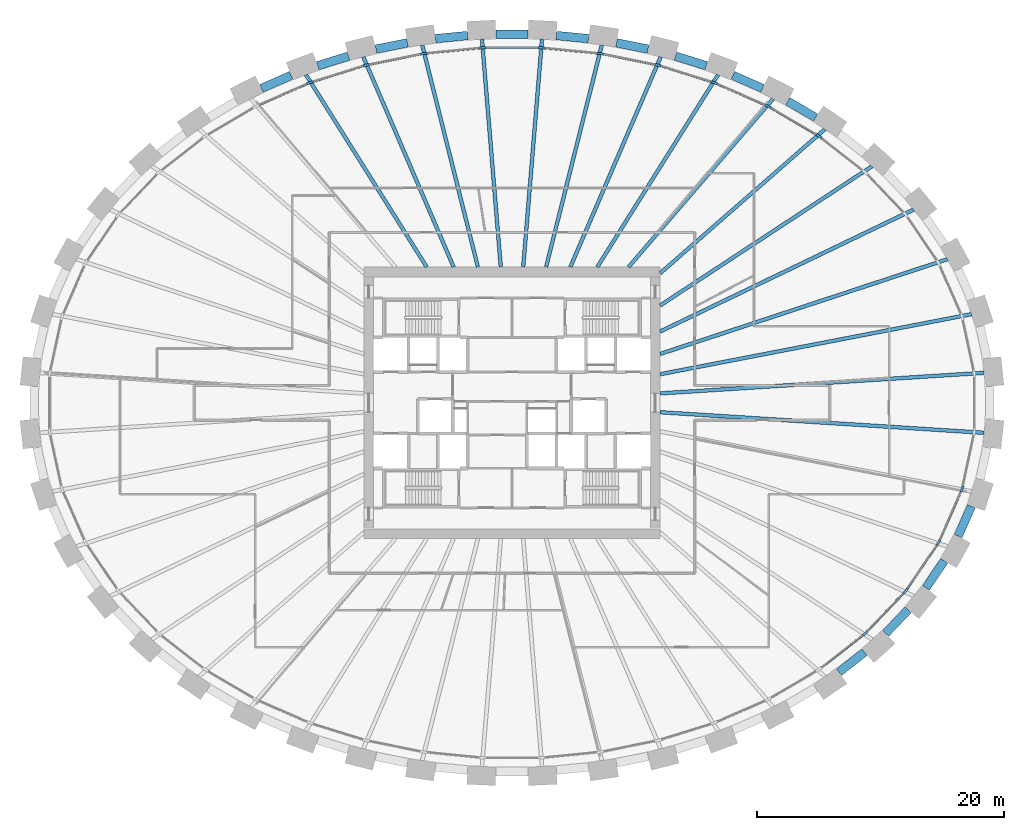
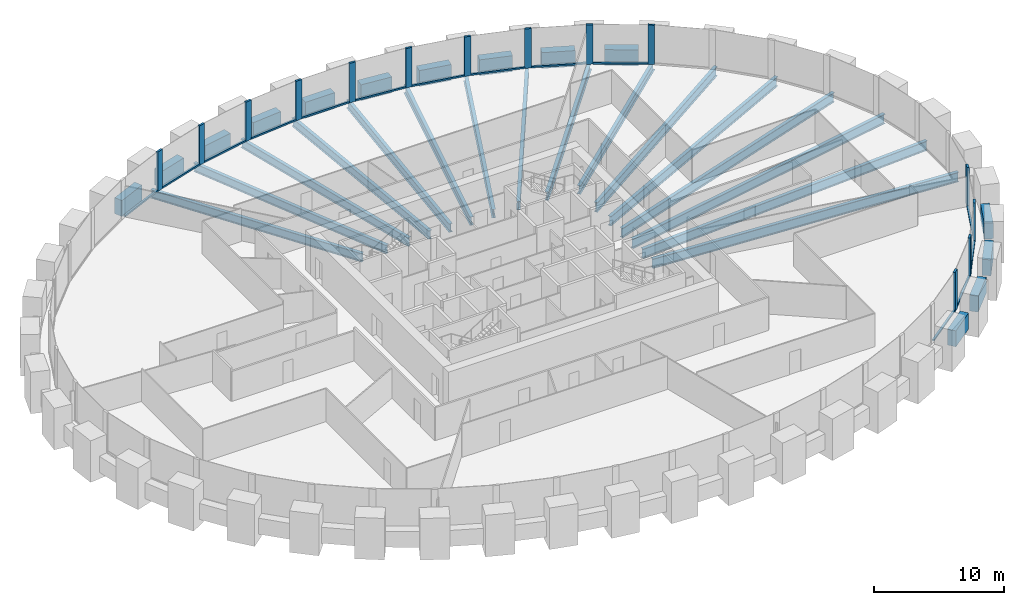
# One storey, part 3 of 11: 30 beams, 28 members, 1 element without a shape of its own.
"""IFC4 building model written with IfcOpenShell, lengths in metres."""

import ifcopenshell
import ifcopenshell.guid

model = None  # the IFC model being written
_history = None  # IfcOwnerHistory: only IFC2X3 demands one
_inside = {}  # id of a spatial element -> (the spatial element, [elements in it])
_under = {}  # id of a project, library or spatial element -> (it, [spatial elements below it])
_declared = {}  # id of a project -> (the project, [libraries it declares])
_typed = {}  # id of a type object -> (the type object, [elements of that type])
_made_of = {}  # id of a material, layer set ... -> (it, [elements and type objects made of it])


def new_model(schema):
    """Start an empty IFC model of exactly this schema.

    Asked for "IFC4X3", IfcOpenShell would pick the latest addendum, in which some entities
    have other attributes; the version numbers below select the first issue.
    IFC2X3 requires an IfcOwnerHistory on every rooted entity: one is made here for all.
    """
    global model, _history
    if schema == "IFC4X3":
        model = ifcopenshell.file(schema_version=(4, 3, 0, 0))
    else:
        model = ifcopenshell.file(schema=schema)
    _inside.clear()
    _under.clear()
    _declared.clear()
    _typed.clear()
    _made_of.clear()
    _history = None
    if model.schema == "IFC2X3":
        org = make("IfcOrganization", Name="unknown")
        user = make(
            "IfcPersonAndOrganization",
            ThePerson=make("IfcPerson", FamilyName="unknown"),
            TheOrganization=org,
        )
        app = make(
            "IfcApplication",
            ApplicationDeveloper=org,
            Version="unknown",
            ApplicationFullName="unknown",
            ApplicationIdentifier="unknown",
        )
        _history = make(
            "IfcOwnerHistory",
            OwningUser=user,
            OwningApplication=app,
            ChangeAction="ADDED",
            CreationDate=0,
        )
    return model


def make(cls, **values):
    """One entity of the class cls with the attributes given. An attribute that is None is left unset."""
    return model.create_entity(
        cls, **{name: value for name, value in values.items() if value is not None}
    )


def rooted(cls, **values):
    """An entity with a GlobalId (a new one), such as an element, a storey or a relation."""
    return make(cls, GlobalId=ifcopenshell.guid.new(), OwnerHistory=_history, **values)


def si_unit(unit_type, name, prefix=None):
    """IfcSIUnit, for example si_unit("LENGTHUNIT", "METRE", prefix="MILLI")."""
    return make("IfcSIUnit", UnitType=unit_type, Prefix=prefix, Name=name)


def assignment(units):
    """IfcUnitAssignment: the units of a project."""
    return None if units is None else make("IfcUnitAssignment", Units=units)


def point(xyz):
    """IfcCartesianPoint."""
    return None if xyz is None else make("IfcCartesianPoint", Coordinates=xyz)


def direction(xyz):
    """IfcDirection."""
    return None if xyz is None else make("IfcDirection", DirectionRatios=xyz)


def frame(location, z_axis=None, x_axis=None):
    """IfcAxis2Placement3D, a coordinate frame: its origin and axes. An axis left out is left unset."""
    return make(
        "IfcAxis2Placement3D",
        Location=point(location),
        Axis=direction(z_axis),
        RefDirection=direction(x_axis),
    )


def frame_2d(location, x_axis=None):
    """IfcAxis2Placement2D, a coordinate frame in the plane: its origin and x axis."""
    return make(
        "IfcAxis2Placement2D", Location=point(location), RefDirection=direction(x_axis)
    )


def origin():
    """The frame at (0, 0, 0) with its axes left unset."""
    return frame((0.0, 0.0, 0.0))


def origin_2d():
    """The frame at (0, 0) in the plane with its x axis left unset."""
    return frame_2d((0.0, 0.0))


def place(relative_to, where):
    """IfcLocalPlacement: puts the frame where relative to a parent placement (None: the world)."""
    return make(
        "IfcLocalPlacement", PlacementRelTo=relative_to, RelativePlacement=where
    )


def context(
    kind, dimensions, precision=None, world=None, true_north=None, identifier=None
):
    """IfcGeometricRepresentationContext, for example the 3D "Model" context."""
    return make(
        "IfcGeometricRepresentationContext",
        ContextIdentifier=identifier,
        ContextType=kind,
        CoordinateSpaceDimension=dimensions,
        Precision=precision,
        WorldCoordinateSystem=world,
        TrueNorth=true_north,
    )


def subcontext(parent, identifier, kind, view, scale=None):
    """IfcGeometricRepresentationSubContext, for example "Body" below "Model"."""
    return make(
        "IfcGeometricRepresentationSubContext",
        ContextIdentifier=identifier,
        ContextType=kind,
        ParentContext=parent,
        TargetScale=scale,
        TargetView=view,
    )


def project(units=None, contexts=None):
    """IfcProject with its units and contexts."""
    return rooted(
        "IfcProject",
        Name="project",
        RepresentationContexts=contexts,
        UnitsInContext=assignment(units),
    )


def spatial(cls, under=None, at=None, **own):
    """A site, building, storey or space (cls), placed at a placement, below another one or the project."""
    s = rooted(cls, ObjectPlacement=at, **own)
    if under is not None:
        _under.setdefault(under.id(), (under, []))[1].append(s)
    return s


def profile(cls, at=None, kind="AREA", **sizes):
    """A parametric profile (cls). Its sizes go by their IFC names, for example OverallWidth=200.0."""
    return make(cls, ProfileType=kind, Position=at, **sizes)


def rectangle(**sizes):
    """IfcRectangleProfileDef."""
    return profile("IfcRectangleProfileDef", **sizes)


def i_section(**sizes):
    """IfcIShapeProfileDef."""
    return profile("IfcIShapeProfileDef", **sizes)


def extrude(swept, where, along, depth):
    """IfcExtrudedAreaSolid: the profile swept, set in the frame where, extruded along a direction by depth."""
    return make(
        "IfcExtrudedAreaSolid",
        SweptArea=swept,
        Position=where,
        ExtrudedDirection=direction(along),
        Depth=depth,
    )


def shape(context_of_items, identifier, shape_type, items):
    """IfcShapeRepresentation: the items that make up one representation, for example the "Body"."""
    return make(
        "IfcShapeRepresentation",
        ContextOfItems=context_of_items,
        RepresentationIdentifier=identifier,
        RepresentationType=shape_type,
        Items=items,
    )


def source(mapping_origin, context_of_items, identifier, shape_type, items):
    """IfcRepresentationMap: a shape defined once, which mapped items show again and again."""
    return make(
        "IfcRepresentationMap",
        MappingOrigin=mapping_origin,
        MappedRepresentation=shape(context_of_items, identifier, shape_type, items),
    )


def transform(
    local_origin,
    x_axis=None,
    y_axis=None,
    z_axis=None,
    scale=None,
    scale2=None,
    scale3=None,
    uniform=True,
):
    """IfcCartesianTransformationOperator3D, or its non-uniform kind. x_axis, y_axis, z_axis: its Axis1, 2, 3."""
    if uniform:
        return make(
            "IfcCartesianTransformationOperator3D",
            Axis1=direction(x_axis),
            Axis2=direction(y_axis),
            LocalOrigin=point(local_origin),
            Scale=scale,
            Axis3=direction(z_axis),
        )
    return make(
        "IfcCartesianTransformationOperator3DnonUniform",
        Axis1=direction(x_axis),
        Axis2=direction(y_axis),
        LocalOrigin=point(local_origin),
        Scale=scale,
        Axis3=direction(z_axis),
        Scale2=scale2,
        Scale3=scale3,
    )


def mapped(mapping_source, mapping_target):
    """IfcMappedItem: shows the shape of a source again, moved by a transform."""
    return make(
        "IfcMappedItem", MappingSource=mapping_source, MappingTarget=mapping_target
    )


def material(Name=None, Category=None):
    """IfcMaterial."""
    return make("IfcMaterial", Name=Name, Category=Category)


def material_profile(
    of_material, cross_section, Name=None, Category=None, Priority=None
):
    """IfcMaterialProfile: a cross section and its material."""
    return make(
        "IfcMaterialProfile",
        Name=Name,
        Material=of_material,
        Profile=cross_section,
        Priority=Priority,
        Category=Category,
    )


def profile_set(profiles, Name=None, composite=None):
    """IfcMaterialProfileSet."""
    return make(
        "IfcMaterialProfileSet",
        Name=Name,
        MaterialProfiles=profiles,
        CompositeProfile=composite,
    )


def made_of(thing, what):
    """Note that an element or type object is made of a material, layer set ...; save() writes the relation."""
    if what is not None:
        _made_of.setdefault(what.id(), (what, []))[1].append(thing)
    return thing


def type_object(cls, material=None, **own):
    """A type object (cls), such as IfcWallType, which elements share."""
    return made_of(rooted(cls, **own), material)


def element(
    cls,
    number,
    at=None,
    inside=None,
    cuts=None,
    type_object=None,
    material=None,
    context=None,
    identifier="Body",
    shape_type=None,
    held_by="IfcProductDefinitionShape",
    body=None,
    shapes=None,
    **own,
):
    """One element of the class cls, such as IfcWall. Its Tag is "e" and its number.

    at: its placement. inside: the storey or other place that contains it. cuts: it is an
    opening in that element (IfcRelVoidsElement). A single representation is given by context,
    identifier, shape_type and body (its items); several are given by shapes. held_by: the class
    of the entity that holds the representations. save() writes the other relations.
    """
    e = rooted(cls, Tag="e%d" % number, ObjectPlacement=at, **own)
    if body is not None:
        shapes = [shape(context, identifier, shape_type, body)]
    if shapes is not None:
        e.Representation = make(held_by, Representations=shapes)
    if inside is not None:
        _inside.setdefault(inside.id(), (inside, []))[1].append(e)
    if cuts is not None:
        rooted(
            "IfcRelVoidsElement", RelatingBuildingElement=cuts, RelatedOpeningElement=e
        )
    if type_object is not None:
        _typed.setdefault(type_object.id(), (type_object, []))[1].append(e)
    return made_of(e, material)


def aggregate(whole, parts):
    """IfcRelAggregates: a whole, such as a stair, and the parts it consists of."""
    return rooted("IfcRelAggregates", RelatingObject=whole, RelatedObjects=parts)


def save(model, path):
    """Write the relations noted so far, then the file.

    IfcRelAggregates (storeys below a building ...), IfcRelContainedInSpatialStructure (elements
    in a storey), IfcRelDefinesByType, IfcRelAssociatesMaterial and IfcRelDeclares: one each for
    every whole, place, type object, material and project.
    """
    for whole, parts in _under.values():
        aggregate(whole, parts)
    for where, things in _inside.values():
        rooted(
            "IfcRelContainedInSpatialStructure",
            RelatedElements=things,
            RelatingStructure=where,
        )
    for kind, things in _typed.values():
        rooted("IfcRelDefinesByType", RelatedObjects=things, RelatingType=kind)
    for what, things in _made_of.values():
        rooted("IfcRelAssociatesMaterial", RelatedObjects=things, RelatingMaterial=what)
    for by, libraries in _declared.values():
        rooted("IfcRelDeclares", RelatingContext=by, RelatedDefinitions=libraries)
    model.write(path)


model = new_model("IFC4")

# Units and contexts
model_context = context("Model", 3, precision=1e-05, world=origin(), true_north=direction((0.0, 1.0)))
body_context = subcontext(model_context, "Body", "Model", "MODEL_VIEW")
ifc_project = project(units=[si_unit("LENGTHUNIT", "METRE"), si_unit("AREAUNIT", "SQUARE_METRE"), si_unit("VOLUMEUNIT", "CUBIC_METRE"), si_unit("PLANEANGLEUNIT", "RADIAN"), si_unit("MASSUNIT", "GRAM", prefix="KILO")], contexts=[model_context])

# Site, building, storey
site_placement = place(None, origin())
site = spatial("IfcSite", under=ifc_project, at=site_placement, CompositionType="ELEMENT")
building_placement = place(site_placement, origin())
building = spatial("IfcBuilding", under=site, at=building_placement, Name="Embergate Tower", CompositionType="ELEMENT")
storey_placement = place(building_placement, frame((0.0, 0.0, 135.89990234375)))
storey = spatial("IfcBuildingStorey", under=building, at=storey_placement, Name="L29", CompositionType="ELEMENT", Elevation=135.89990234375)

# Beams
ifc_material_1 = material(Name="Concrete C70", Category="concrete")
ifc_material_profile_1 = material_profile(ifc_material_1, rectangle(XDim=0.699951171875, YDim=1.5, at=origin_2d()), Name="RC 700x1500")
ifc_profile_set_1 = profile_set([ifc_material_profile_1], Name="Concrete C70")
beam_type_1 = type_object("IfcBeamType", Name="Spandrel beam RC 700x1500 C70", PredefinedType="BEAM", material=ifc_profile_set_1)
shared_shape_1 = source(origin(), body_context, "Body", "SweptSolid", [
    extrude(rectangle(XDim=0.699951171875, YDim=1.5, at=origin_2d()), origin(), (0.0, 0.0, 1.0), 2.640625),
])
beam_1_placement = place(storey_placement, frame((36.137939453125, -10.801025390625, 0.0), z_axis=(0.401827456717, 0.915715400672, 0.0), x_axis=(-0.915715400672, 0.401827456717, 0.0)))
element("IfcBeam", 1, at=beam_1_placement, inside=storey, type_object=beam_type_1, Name="SPN-L29-41", PredefinedType="BEAM", context=body_context, shape_type="MappedRepresentation", body=[
    mapped(shared_shape_1, transform((0.0, 0.0, 0.0))),
])
shared_shape_2 = source(origin(), body_context, "Body", "SweptSolid", [
    extrude(rectangle(XDim=0.699951171875, YDim=1.5, at=origin_2d()), origin(), (0.0, 0.0, 1.0), 2.63037109375),
])
beam_2_placement = place(storey_placement, frame((33.528076171875, -14.97900390625, 0.0), z_axis=(0.562302404878, 0.826931681258, 0.0), x_axis=(-0.826931681258, 0.562302404878, 0.0)))
element("IfcBeam", 2, at=beam_2_placement, inside=storey, type_object=beam_type_1, Name="SPN-L29-40", PredefinedType="BEAM", context=body_context, shape_type="MappedRepresentation", body=[
    mapped(shared_shape_2, transform((0.0, 0.0, 0.0))),
])
shared_shape_3 = source(origin(), body_context, "Body", "SweptSolid", [
    extrude(rectangle(XDim=0.699951171875, YDim=1.5, at=origin_2d()), origin(), (0.0, 0.0, 1.0), 2.6240234375),
])
beam_3_placement = place(storey_placement, frame((30.27099609375, -18.6669921875, 0.0), z_axis=(0.690161462012, 0.723655412716, 0.0), x_axis=(-0.723655412716, 0.690161462012, 0.0)))
element("IfcBeam", 3, at=beam_3_placement, inside=storey, type_object=beam_type_1, Name="SPN-L29-39", PredefinedType="BEAM", context=body_context, shape_type="MappedRepresentation", body=[
    mapped(shared_shape_3, transform((0.0, 0.0, 0.0))),
])
shared_shape_4 = source(origin(), body_context, "Body", "SweptSolid", [
    extrude(rectangle(XDim=0.699951171875, YDim=1.5, at=origin_2d()), origin(), (0.0, 0.0, 1.0), 2.617431640625),
])
beam_4_placement = place(storey_placement, frame((26.489990234375, -21.806884765625, 0.0), z_axis=(0.788185558189, 0.615437670169, 0.0), x_axis=(-0.615437670169, 0.788185558189, 0.0)))
element("IfcBeam", 4, at=beam_4_placement, inside=storey, type_object=beam_type_1, Name="SPN-L29-38", PredefinedType="BEAM", context=body_context, shape_type="MappedRepresentation", body=[
    mapped(shared_shape_4, transform((0.0, 0.0, 0.0))),
])
shared_shape_5 = source(origin(), body_context, "Body", "SweptSolid", [
    extrude(rectangle(XDim=0.699951171875, YDim=1.5, at=origin_2d()), origin(), (0.0, 0.0, 1.0), 2.61328125),
])
beam_5_placement = place(storey_placement, frame((24.587890625, 23.10107421875, 0.0), z_axis=(-0.862147892726, 0.506656699421, 0.0), x_axis=(-0.506656699421, -0.862147892726, 0.0)))
element("IfcBeam", 5, at=beam_5_placement, inside=storey, type_object=beam_type_1, Name="SPN-L29-05", PredefinedType="BEAM", context=body_context, shape_type="MappedRepresentation", body=[
    mapped(shared_shape_5, transform((0.0, 0.0, 0.0))),
])
shared_shape_6 = source(origin(), body_context, "Body", "SweptSolid", [
    extrude(rectangle(XDim=0.699951171875, YDim=1.5, at=origin_2d()), origin(), (0.0, 0.0, 1.0), 2.609619140625),
])
for number, where, z_axis, x_axis, name in (
    (6, (20.285888671875, 25.469970703125, 0.0), (-0.916138010335, 0.400863001561, 0.0), (-0.400863001561, -0.916138010335, 0.0), "SPN-L29-06"),
    (7, (-17.89501953125, 26.51611328125, 0.0), (-0.916138010335, -0.400863001561, 0.0), (0.400863001561, -0.916138010335, 0.0), "SPN-L29-14"),
):
    element("IfcBeam", number, at=place(storey_placement, frame(where, z_axis=z_axis, x_axis=x_axis)), inside=storey, type_object=beam_type_1, Name=name, PredefinedType="BEAM", context=body_context, shape_type="MappedRepresentation", body=[
        mapped(shared_shape_6, transform((0.0, 0.0, 0.0))),
    ])
shared_shape_7 = source(origin(), body_context, "Body", "SweptSolid", [
    extrude(rectangle(XDim=0.699951171875, YDim=1.5, at=origin_2d()), origin(), (0.0, 0.0, 1.0), 2.605712890625),
])
for number, where, z_axis, x_axis, name in (
    (8, (15.73291015625, 27.301025390625, 0.0), (-0.954756318778, 0.297389259647, 0.0), (-0.297389259647, -0.954756318778, 0.0), "SPN-L29-07"),
    (9, (-13.2451171875, 28.075927734375, 0.0), (-0.954756318778, -0.297389259647, 0.0), (0.297389259647, -0.954756318778, 0.0), "SPN-L29-13"),
):
    element("IfcBeam", number, at=place(storey_placement, frame(where, z_axis=z_axis, x_axis=x_axis)), inside=storey, type_object=beam_type_1, Name=name, PredefinedType="BEAM", context=body_context, shape_type="MappedRepresentation", body=[
        mapped(shared_shape_7, transform((0.0, 0.0, 0.0))),
    ])
shared_shape_8 = source(origin(), body_context, "Body", "SweptSolid", [
    extrude(rectangle(XDim=0.699951171875, YDim=1.5, at=origin_2d()), origin(), (0.0, 0.0, 1.0), 2.602783203125),
])
for number, where, z_axis, x_axis, name in (
    (10, (11.01611328125, 28.64501953125, 0.0), (-0.98046506275, 0.196693316425, 0.0), (-0.196693316425, -0.98046506275, 0.0), "SPN-L29-08"),
    (11, (-8.464111328125, 29.156982421875, 0.0), (-0.98046506275, -0.196693316425, 0.0), (0.196693316425, -0.98046506275, 0.0), "SPN-L29-12"),
):
    element("IfcBeam", number, at=place(storey_placement, frame(where, z_axis=z_axis, x_axis=x_axis)), inside=storey, type_object=beam_type_1, Name=name, PredefinedType="BEAM", context=body_context, shape_type="MappedRepresentation", body=[
        mapped(shared_shape_8, transform((0.0, 0.0, 0.0))),
    ])
shared_shape_9 = source(origin(), body_context, "Body", "SweptSolid", [
    extrude(rectangle(XDim=0.699951171875, YDim=1.5, at=origin_2d()), origin(), (0.0, 0.0, 1.0), 2.603515625),
])
for number, where, z_axis, x_axis, name in (
    (12, (6.18896484375, 29.49609375, 0.0), (-0.995232987849, 0.097525893467, 0.0), (-0.097525893467, -0.995232987849, 0.0), "SPN-L29-09"),
    (13, (-3.597900390625, 29.75, 0.0), (-0.995232987849, -0.097525893467, 0.0), (0.097525893467, -0.995232987849, 0.0), "SPN-L29-11"),
):
    element("IfcBeam", number, at=place(storey_placement, frame(where, z_axis=z_axis, x_axis=x_axis)), inside=storey, type_object=beam_type_1, Name=name, PredefinedType="BEAM", context=body_context, shape_type="MappedRepresentation", body=[
        mapped(shared_shape_9, transform((0.0, 0.0, 0.0))),
    ])
shared_shape_10 = source(origin(), body_context, "Body", "SweptSolid", [
    extrude(rectangle(XDim=0.699951171875, YDim=1.5, at=origin_2d()), origin(), (0.0, 0.0, 1.0), 2.60205078125),
])
beam_6_placement = place(storey_placement, frame((1.301025390625, 29.863037109375, 0.0), z_axis=(-1.0, 0.0, 0.0), x_axis=(0.0, -1.0, 0.0)))
element("IfcBeam", 14, at=beam_6_placement, inside=storey, type_object=beam_type_1, Name="SPN-L29-10", PredefinedType="BEAM", context=body_context, shape_type="MappedRepresentation", body=[
    mapped(shared_shape_10, transform((0.0, 0.0, 0.0))),
])
ifc_material_2 = material(Name="Steel Q355B", Category="steel")
ifc_material_profile_2 = material_profile(ifc_material_2, i_section(OverallWidth=0.300048828125, OverallDepth=0.89990234375, WebThickness=0.01611328125, FlangeThickness=0.028076171875, FilletRadius=0.028076171875, at=origin_2d()), Name="HN 900x300x16x28")
ifc_profile_set_2 = profile_set([ifc_material_profile_2], Name="Steel Q355 grade B")
beam_type_2 = type_object("IfcBeamType", Name="Radial girder HN 900x300x16x28", PredefinedType="BEAM", material=ifc_profile_set_2)
shared_shape_11 = source(origin(), body_context, "Body", "SweptSolid", [
    extrude(i_section(OverallWidth=0.300048828125, OverallDepth=0.89990234375, WebThickness=0.01611328125, FlangeThickness=0.028076171875, FilletRadius=0.028076171875, at=origin_2d()), origin(), (0.0, 0.0, 1.0), 26.2890625),
])
for number, where, z_axis, x_axis, name in (
    (15, (38.236083984375, 2.428955078125, -0.64990234375), (-0.997987543189, -0.063410280235, 0.0), (0.063410280235, -0.997987543189, 0.0), "GIR-L29-00"),
    (16, (38.236083984375, -2.428955078125, -0.64990234375), (-0.997987543189, 0.063410280235, 0.0), (-0.063410280235, -0.997987543189, 0.0), "GIR-L29-43"),
):
    element("IfcBeam", number, at=place(storey_placement, frame(where, z_axis=z_axis, x_axis=x_axis)), inside=storey, type_object=beam_type_2, Name=name, PredefinedType="BEAM", context=body_context, shape_type="MappedRepresentation", body=[
        mapped(shared_shape_11, transform((0.0, 0.0, 0.0))),
    ])
shared_shape_12 = source(origin(), body_context, "Body", "SweptSolid", [
    extrude(i_section(OverallWidth=0.300048828125, OverallDepth=0.89990234375, WebThickness=0.01611328125, FlangeThickness=0.028076171875, FilletRadius=0.028076171875, at=origin_2d()), origin(), (0.0, 0.0, 1.0), 25.678955078125),
])
beam_7_placement = place(storey_placement, frame((37.214111328125, 7.178955078125, -0.64990234375), z_axis=(-0.981896899558, -0.189416151998, 0.0), x_axis=(0.189416151998, -0.981896899558, 0.0)))
element("IfcBeam", 17, at=beam_7_placement, inside=storey, type_object=beam_type_2, Name="GIR-L29-01", PredefinedType="BEAM", context=body_context, shape_type="MappedRepresentation", body=[
    mapped(shared_shape_12, transform((0.0, 0.0, 0.0))),
])
shared_shape_13 = source(origin(), body_context, "Body", "SweptSolid", [
    extrude(i_section(OverallWidth=0.300048828125, OverallDepth=0.89990234375, WebThickness=0.01611328125, FlangeThickness=0.028076171875, FilletRadius=0.028076171875, at=origin_2d()), origin(), (0.0, 0.0, 1.0), 24.494384765625),
])
beam_8_placement = place(storey_placement, frame((35.261962890625, 11.62890625, -0.64990234375), z_axis=(-0.949684190342, -0.313209097273, 0.0), x_axis=(0.313209097273, -0.949684190342, 0.0)))
element("IfcBeam", 18, at=beam_8_placement, inside=storey, type_object=beam_type_2, Name="GIR-L29-02", PredefinedType="BEAM", context=body_context, shape_type="MappedRepresentation", body=[
    mapped(shared_shape_13, transform((0.0, 0.0, 0.0))),
])
shared_shape_14 = source(origin(), body_context, "Body", "SweptSolid", [
    extrude(i_section(OverallWidth=0.300048828125, OverallDepth=0.89990234375, WebThickness=0.01611328125, FlangeThickness=0.028076171875, FilletRadius=0.028076171875, at=origin_2d()), origin(), (0.0, 0.0, 1.0), 22.7802734375),
])
beam_9_placement = place(storey_placement, frame((32.528076171875, 15.64892578125, -0.64990234375), z_axis=(-0.901137381281, -0.433533643514, 0.0), x_axis=(0.433533643514, -0.901137381281, 0.0)))
element("IfcBeam", 19, at=beam_9_placement, inside=storey, type_object=beam_type_2, Name="GIR-L29-03", PredefinedType="BEAM", context=body_context, shape_type="MappedRepresentation", body=[
    mapped(shared_shape_14, transform((0.0, 0.0, 0.0))),
])
shared_shape_15 = source(origin(), body_context, "Body", "SweptSolid", [
    extrude(i_section(OverallWidth=0.300048828125, OverallDepth=0.89990234375, WebThickness=0.01611328125, FlangeThickness=0.028076171875, FilletRadius=0.028076171875, at=origin_2d()), origin(), (0.0, 0.0, 1.0), 20.548095703125),
])
beam_10_placement = place(storey_placement, frame((29.173095703125, 19.1669921875, -0.64990234375), z_axis=(-0.835755020843, -0.549102490557, 0.0), x_axis=(0.549102490557, -0.835755020843, 0.0)))
element("IfcBeam", 20, at=beam_10_placement, inside=storey, type_object=beam_type_2, Name="GIR-L29-04", PredefinedType="BEAM", context=body_context, shape_type="MappedRepresentation", body=[
    mapped(shared_shape_15, transform((0.0, 0.0, 0.0))),
])
ifc_material_profile_3 = material_profile(ifc_material_2, i_section(OverallWidth=0.300048828125, OverallDepth=0.800048828125, WebThickness=0.013916015625, FlangeThickness=0.02587890625, FilletRadius=0.028076171875, at=origin_2d()), Name="HN 800x300x14x26")
ifc_profile_set_3 = profile_set([ifc_material_profile_3], Name="Steel Q355 grade B")
beam_type_3 = type_object("IfcBeamType", Name="Radial girder HN 800x300x14x26", PredefinedType="BEAM", material=ifc_profile_set_3)
shared_shape_16 = source(origin(), body_context, "Body", "SweptSolid", [
    extrude(i_section(OverallWidth=0.300048828125, OverallDepth=0.800048828125, WebThickness=0.013916015625, FlangeThickness=0.02587890625, FilletRadius=0.028076171875, at=origin_2d()), origin(), (0.0, 0.0, 1.0), 17.7216796875),
])
beam_11_placement = place(storey_placement, frame((25.340087890625, 22.159912109375, -0.599853515625), z_axis=(-0.752760148579, -0.65829488735, 0.0), x_axis=(0.65829488735, -0.752760148579, 0.0)))
element("IfcBeam", 21, at=beam_11_placement, inside=storey, type_object=beam_type_3, Name="GIR-L29-05", PredefinedType="BEAM", context=body_context, shape_type="MappedRepresentation", body=[
    mapped(shared_shape_16, transform((0.0, 0.0, 0.0))),
])
shared_shape_17 = source(origin(), body_context, "Body", "SweptSolid", [
    extrude(i_section(OverallWidth=0.300048828125, OverallDepth=0.800048828125, WebThickness=0.013916015625, FlangeThickness=0.02587890625, FilletRadius=0.028076171875, at=origin_2d()), origin(), (0.0, 0.0, 1.0), 17.958251953125),
])
beam_12_placement = place(storey_placement, frame((21.14599609375, 24.6240234375, -0.599853515625), z_axis=(-0.651504254296, -0.75864498063, 0.0), x_axis=(0.75864498063, -0.651504254296, 0.0)))
element("IfcBeam", 22, at=beam_12_placement, inside=storey, type_object=beam_type_3, Name="GIR-L29-06", PredefinedType="BEAM", context=body_context, shape_type="MappedRepresentation", body=[
    mapped(shared_shape_17, transform((0.0, 0.0, 0.0))),
])
shared_shape_18 = source(origin(), body_context, "Body", "SweptSolid", [
    extrude(i_section(OverallWidth=0.300048828125, OverallDepth=0.800048828125, WebThickness=0.013916015625, FlangeThickness=0.02587890625, FilletRadius=0.028076171875, at=origin_2d()), origin(), (0.0, 0.0, 1.0), 18.390625),
])
for number, where, z_axis, x_axis, name in (
    (23, (16.68994140625, 26.573974609375, -0.599853515625), (-0.531846072131, -0.846841045037, 0.0), (0.846841045037, -0.531846072131, 0.0), "GIR-L29-07"),
    (24, (-16.68994140625, 26.573974609375, -0.599853515625), (0.531846072131, -0.846841045037, 0.0), (0.846841045037, 0.531846072131, 0.0), "GIR-L29-14"),
):
    element("IfcBeam", number, at=place(storey_placement, frame(where, z_axis=z_axis, x_axis=x_axis)), inside=storey, type_object=beam_type_3, Name=name, PredefinedType="BEAM", context=body_context, shape_type="MappedRepresentation", body=[
        mapped(shared_shape_18, transform((0.0, 0.0, 0.0))),
    ])
shared_shape_19 = source(origin(), body_context, "Body", "SweptSolid", [
    extrude(i_section(OverallWidth=0.300048828125, OverallDepth=0.800048828125, WebThickness=0.013916015625, FlangeThickness=0.02587890625, FilletRadius=0.028076171875, at=origin_2d()), origin(), (0.0, 0.0, 1.0), 18.52587890625),
])
for number, where, z_axis, x_axis, name in (
    (25, (12.0439453125, 28.02001953125, -0.599853515625), (-0.394905182854, -0.918721882049, 0.0), (0.918721882049, -0.394905182854, 0.0), "GIR-L29-08"),
    (26, (-12.0439453125, 28.02001953125, -0.599853515625), (0.394905182854, -0.918721882049, 0.0), (0.918721882049, 0.394905182854, 0.0), "GIR-L29-13"),
):
    element("IfcBeam", number, at=place(storey_placement, frame(where, z_axis=z_axis, x_axis=x_axis)), inside=storey, type_object=beam_type_3, Name=name, PredefinedType="BEAM", context=body_context, shape_type="MappedRepresentation", body=[
        mapped(shared_shape_19, transform((0.0, 0.0, 0.0))),
    ])
shared_shape_20 = source(origin(), body_context, "Body", "SweptSolid", [
    extrude(i_section(OverallWidth=0.300048828125, OverallDepth=0.800048828125, WebThickness=0.013916015625, FlangeThickness=0.02587890625, FilletRadius=0.028076171875, at=origin_2d()), origin(), (0.0, 0.0, 1.0), 18.534912109375),
])
for number, where, z_axis, x_axis, name in (
    (27, (7.27490234375, 28.97705078125, -0.599853515625), (-0.243483891087, -0.969904941106, 0.0), (0.969904941106, -0.243483891087, 0.0), "GIR-L29-09"),
    (28, (-7.27490234375, 28.97705078125, -0.599853515625), (0.243483891087, -0.969904941106, 0.0), (0.969904941106, 0.243483891087, 0.0), "GIR-L29-12"),
):
    element("IfcBeam", number, at=place(storey_placement, frame(where, z_axis=z_axis, x_axis=x_axis)), inside=storey, type_object=beam_type_3, Name=name, PredefinedType="BEAM", context=body_context, shape_type="MappedRepresentation", body=[
        mapped(shared_shape_20, transform((0.0, 0.0, 0.0))),
    ])
shared_shape_21 = source(origin(), body_context, "Body", "SweptSolid", [
    extrude(i_section(OverallWidth=0.300048828125, OverallDepth=0.800048828125, WebThickness=0.013916015625, FlangeThickness=0.02587890625, FilletRadius=0.028076171875, at=origin_2d()), origin(), (0.0, 0.0, 1.0), 18.515625),
])
for number, where, z_axis, x_axis, name in (
    (29, (2.431884765625, 29.452880859375, -0.599853515625), (-0.082304517098, -0.996607227781, 0.0), (0.996607227781, -0.082304517098, 0.0), "GIR-L29-10"),
    (30, (-2.431884765625, 29.452880859375, -0.599853515625), (0.082304517098, -0.996607227781, 0.0), (0.996607227781, 0.082304517098, 0.0), "GIR-L29-11"),
):
    element("IfcBeam", number, at=place(storey_placement, frame(where, z_axis=z_axis, x_axis=x_axis)), inside=storey, type_object=beam_type_3, Name=name, PredefinedType="BEAM", context=body_context, shape_type="MappedRepresentation", body=[
        mapped(shared_shape_21, transform((0.0, 0.0, 0.0))),
    ])

# Curtain wall, members
ifc_material_3 = material(Name="Aluminium and glass", Category="aluminium")
curtain_wall_type = type_object("IfcCurtainWallType", Name="Recessed office glazing", PredefinedType="NOTDEFINED", material=ifc_material_3)
curtain_wall_placement = place(storey_placement, origin())
curtain_wall = element("IfcCurtainWall", 31, at=curtain_wall_placement, inside=storey, type_object=curtain_wall_type, Name="Recessed office glazing ring", ObjectType="RECESSED OFFICE GLAZING", PredefinedType="USERDEFINED")
ifc_material_4 = material(Name="Aluminium, thermally broken", Category="aluminium")
ifc_material_profile_4 = material_profile(ifc_material_4, rectangle(XDim=0.179931640625, YDim=0.52001953125, at=origin_2d()), Name="AL 520x180")
ifc_profile_set_4 = profile_set([ifc_material_profile_4], Name="Aluminium, thermally broken")
member_type_1 = type_object("IfcMemberType", Name="Office mullion", PredefinedType="MULLION", material=ifc_profile_set_4)
shared_shape_22 = source(origin(), body_context, "Body", "SweptSolid", [
    extrude(rectangle(XDim=0.179931640625, YDim=0.52001953125, at=origin_2d()), origin(), (0.0, 0.0, 1.0), 3.7001953125),
])
member_1_placement = place(storey_placement, frame((24.8544921875, 21.603515625, 0.0), z_axis=(0.0, 0.0, 1.0), x_axis=(-0.562214731803, -0.826991290972, 0.0)))
member_1 = element("IfcMember", 32, at=member_1_placement, type_object=member_type_1, Name="CW mullion 6", PredefinedType="MULLION", context=body_context, shape_type="MappedRepresentation", body=[
    mapped(shared_shape_22, transform((0.0, 0.0, 0.0))),
])
member_2_placement = place(storey_placement, frame((20.74755859375, 24.018310546875, 0.0), z_axis=(0.0, 0.0, 1.0), x_axis=(-0.454508271251, -0.890742516872, 0.0)))
member_2 = element("IfcMember", 33, at=member_2_placement, type_object=member_type_1, Name="CW mullion 7", PredefinedType="MULLION", context=body_context, shape_type="MappedRepresentation", body=[
    mapped(shared_shape_22, transform((0.0, 0.0, 0.0))),
])
member_3_placement = place(storey_placement, frame((16.378173828125, 25.9287109375, 0.0), z_axis=(0.0, 0.0, 1.0), x_axis=(-0.349501047589, -0.936935973124, 0.0)))
member_3 = element("IfcMember", 34, at=member_3_placement, type_object=member_type_1, Name="CW mullion 8", PredefinedType="MULLION", context=body_context, shape_type="MappedRepresentation", body=[
    mapped(shared_shape_22, transform((0.0, 0.0, 0.0))),
])
member_4_placement = place(storey_placement, frame((11.82177734375, 27.34765625, 0.0), z_axis=(0.0, 0.0, 1.0), x_axis=(-0.247310190257, -0.968936360034, 0.0)))
member_4 = element("IfcMember", 35, at=member_4_placement, type_object=member_type_1, Name="CW mullion 9", PredefinedType="MULLION", context=body_context, shape_type="MappedRepresentation", body=[
    mapped(shared_shape_22, transform((0.0, 0.0, 0.0))),
])
member_5_placement = place(storey_placement, frame((7.140625, 28.28662109375, 0.0), z_axis=(0.0, 0.0, 1.0), x_axis=(-0.147410656556, -0.989075375456, 0.0)))
member_5 = element("IfcMember", 36, at=member_5_placement, type_object=member_type_1, Name="CW mullion 10", PredefinedType="MULLION", context=body_context, shape_type="MappedRepresentation", body=[
    mapped(shared_shape_22, transform((0.0, 0.0, 0.0))),
])
member_6_placement = place(storey_placement, frame((2.387939453125, 28.753662109375, 0.0), z_axis=(0.0, 0.0, 1.0), x_axis=(-0.048971796621, -0.998800161762, 0.0)))
member_6 = element("IfcMember", 37, at=member_6_placement, type_object=member_type_1, Name="CW mullion 11", PredefinedType="MULLION", context=body_context, shape_type="MappedRepresentation", body=[
    mapped(shared_shape_22, transform((0.0, 0.0, 0.0))),
])
member_7_placement = place(storey_placement, frame((-2.387939453125, 28.753662109375, 0.0), z_axis=(0.0, 0.0, 1.0), x_axis=(0.048971796621, -0.998800161762, 0.0)))
member_7 = element("IfcMember", 38, at=member_7_placement, type_object=member_type_1, Name="CW mullion 12", PredefinedType="MULLION", context=body_context, shape_type="MappedRepresentation", body=[
    mapped(shared_shape_22, transform((0.0, 0.0, 0.0))),
])
member_8_placement = place(storey_placement, frame((-7.140625, 28.28662109375, 0.0), z_axis=(0.0, 0.0, 1.0), x_axis=(0.147410656556, -0.989075375456, 0.0)))
member_8 = element("IfcMember", 39, at=member_8_placement, type_object=member_type_1, Name="CW mullion 13", PredefinedType="MULLION", context=body_context, shape_type="MappedRepresentation", body=[
    mapped(shared_shape_22, transform((0.0, 0.0, 0.0))),
])
member_9_placement = place(storey_placement, frame((-11.82177734375, 27.34765625, 0.0), z_axis=(0.0, 0.0, 1.0), x_axis=(0.247310190257, -0.968936360034, 0.0)))
member_9 = element("IfcMember", 40, at=member_9_placement, type_object=member_type_1, Name="CW mullion 14", PredefinedType="MULLION", context=body_context, shape_type="MappedRepresentation", body=[
    mapped(shared_shape_22, transform((0.0, 0.0, 0.0))),
])
member_10_placement = place(storey_placement, frame((-16.378173828125, 25.9287109375, 0.0), z_axis=(0.0, 0.0, 1.0), x_axis=(0.349501047589, -0.936935973124, 0.0)))
member_10 = element("IfcMember", 41, at=member_10_placement, type_object=member_type_1, Name="CW mullion 15", PredefinedType="MULLION", context=body_context, shape_type="MappedRepresentation", body=[
    mapped(shared_shape_22, transform((0.0, 0.0, 0.0))),
])
member_11_placement = place(storey_placement, frame((28.605712890625, -18.676025390625, 0.0), z_axis=(0.0, 0.0, 1.0), x_axis=(-0.671225240226, 0.741253449829, 0.0)))
member_11 = element("IfcMember", 42, at=member_11_placement, type_object=member_type_1, Name="CW mullion 40", PredefinedType="MULLION", context=body_context, shape_type="MappedRepresentation", body=[
    mapped(shared_shape_22, transform((0.0, 0.0, 0.0))),
])
member_12_placement = place(storey_placement, frame((31.88427734375, -15.238037109375, 0.0), z_axis=(0.0, 0.0, 1.0), x_axis=(-0.777871467551, 0.628423408198, 0.0)))
member_12 = element("IfcMember", 43, at=member_12_placement, type_object=member_type_1, Name="CW mullion 41", PredefinedType="MULLION", context=body_context, shape_type="MappedRepresentation", body=[
    mapped(shared_shape_22, transform((0.0, 0.0, 0.0))),
])
member_13_placement = place(storey_placement, frame((34.55078125, -11.31689453125, 0.0), z_axis=(0.0, 0.0, 1.0), x_axis=(-0.875001895832, 0.484119491748, 0.0)))
member_13 = element("IfcMember", 44, at=member_13_placement, type_object=member_type_1, Name="CW mullion 42", PredefinedType="MULLION", context=body_context, shape_type="MappedRepresentation", body=[
    mapped(shared_shape_22, transform((0.0, 0.0, 0.0))),
])
member_14_placement = place(storey_placement, frame((36.451904296875, -6.982177734375, 0.0), z_axis=(0.0, 0.0, 1.0), x_axis=(-0.951497797992, 0.307655554826, 0.0)))
member_14 = element("IfcMember", 45, at=member_14_placement, type_object=member_type_1, Name="CW mullion 43", PredefinedType="MULLION", context=body_context, shape_type="MappedRepresentation", body=[
    mapped(shared_shape_22, transform((0.0, 0.0, 0.0))),
])
ifc_material_profile_5 = material_profile(ifc_material_4, rectangle(XDim=0.179931640625, YDim=0.14990234375, at=origin_2d()), Name="AL 150x180")
ifc_profile_set_5 = profile_set([ifc_material_profile_5], Name="Aluminium, thermally broken")
member_type_2 = type_object("IfcMemberType", Name="Office sill transom", PredefinedType="USERDEFINED", material=ifc_profile_set_5)
shared_shape_23 = source(origin(), body_context, "Body", "SweptSolid", [
    extrude(rectangle(XDim=0.179931640625, YDim=0.14990234375, at=origin_2d()), origin(), (0.0, 0.0, 1.0), 4.25439453125),
])
member_15_placement = place(storey_placement, frame((11.56689453125, 27.398681640625, 0.0751953125), z_axis=(-0.980472378795, 0.196656844325, 0.0), x_axis=(-0.196656844325, -0.980472378795, 0.0)))
member_15 = element("IfcMember", 46, at=member_15_placement, type_object=member_type_2, Name="CW transom 9.1", ObjectType="TRANSOM", PredefinedType="USERDEFINED", context=body_context, shape_type="MappedRepresentation", body=[
    mapped(shared_shape_23, transform((0.0, 0.0, 0.0))),
])
member_16_placement = place(storey_placement, frame((-7.3955078125, 28.2353515625, 0.0751953125), z_axis=(-0.980472378795, -0.196656844325, 0.0), x_axis=(0.196656844325, -0.980472378795, 0.0)))
member_16 = element("IfcMember", 47, at=member_16_placement, type_object=member_type_2, Name="CW transom 13.1", ObjectType="TRANSOM", PredefinedType="USERDEFINED", context=body_context, shape_type="MappedRepresentation", body=[
    mapped(shared_shape_23, transform((0.0, 0.0, 0.0))),
])
shared_shape_24 = source(origin(), body_context, "Body", "SweptSolid", [
    extrude(rectangle(XDim=0.179931640625, YDim=0.14990234375, at=origin_2d()), origin(), (0.0, 0.0, 1.0), 4.213134765625),
])
member_17_placement = place(storey_placement, frame((34.655517578125, -11.07861328125, 0.0751953125), z_axis=(0.40163335885, 0.915800548733, 0.0), x_axis=(-0.915800548733, 0.40163335885, 0.0)))
member_17 = element("IfcMember", 48, at=member_17_placement, type_object=member_type_2, Name="CW transom 42.1", ObjectType="TRANSOM", PredefinedType="USERDEFINED", context=body_context, shape_type="MappedRepresentation", body=[
    mapped(shared_shape_24, transform((0.0, 0.0, 0.0))),
])
shared_shape_25 = source(origin(), body_context, "Body", "SweptSolid", [
    extrude(rectangle(XDim=0.179931640625, YDim=0.14990234375, at=origin_2d()), origin(), (0.0, 0.0, 1.0), 4.22216796875),
])
member_18_placement = place(storey_placement, frame((32.030517578125, -15.02294921875, 0.0751953125), z_axis=(0.562349562031, 0.826899613063, 0.0), x_axis=(-0.826899613063, 0.562349562031, 0.0)))
member_18 = element("IfcMember", 49, at=member_18_placement, type_object=member_type_2, Name="CW transom 41.1", ObjectType="TRANSOM", PredefinedType="USERDEFINED", context=body_context, shape_type="MappedRepresentation", body=[
    mapped(shared_shape_25, transform((0.0, 0.0, 0.0))),
])
shared_shape_26 = source(origin(), body_context, "Body", "SweptSolid", [
    extrude(rectangle(XDim=0.179931640625, YDim=0.14990234375, at=origin_2d()), origin(), (0.0, 0.0, 1.0), 4.230712890625),
])
member_19_placement = place(storey_placement, frame((28.784912109375, -18.48779296875, 0.0751953125), z_axis=(0.690173739415, 0.723643703367, 0.0), x_axis=(-0.723643703367, 0.690173739415, 0.0)))
member_19 = element("IfcMember", 50, at=member_19_placement, type_object=member_type_2, Name="CW transom 40.1", ObjectType="TRANSOM", PredefinedType="USERDEFINED", context=body_context, shape_type="MappedRepresentation", body=[
    mapped(shared_shape_26, transform((0.0, 0.0, 0.0))),
])
shared_shape_27 = source(origin(), body_context, "Body", "SweptSolid", [
    extrude(rectangle(XDim=0.179931640625, YDim=0.14990234375, at=origin_2d()), origin(), (0.0, 0.0, 1.0), 4.23828125),
])
member_20_placement = place(storey_placement, frame((25.0595703125, -21.443603515625, 0.0751953125), z_axis=(0.788315102029, 0.615271728518, 0.0), x_axis=(-0.615271728518, 0.788315102029, 0.0)))
member_20 = element("IfcMember", 51, at=member_20_placement, type_object=member_type_2, Name="CW transom 39.1", ObjectType="TRANSOM", PredefinedType="USERDEFINED", context=body_context, shape_type="MappedRepresentation", body=[
    mapped(shared_shape_27, transform((0.0, 0.0, 0.0))),
])
shared_shape_28 = source(origin(), body_context, "Body", "SweptSolid", [
    extrude(rectangle(XDim=0.179931640625, YDim=0.14990234375, at=origin_2d()), origin(), (0.0, 0.0, 1.0), 4.244140625),
])
member_21_placement = place(storey_placement, frame((24.63037109375, 21.7353515625, 0.0751953125), z_axis=(-0.862042143977, 0.506836602868, 0.0), x_axis=(-0.506836602868, -0.862042143977, 0.0)))
member_21 = element("IfcMember", 52, at=member_21_placement, type_object=member_type_2, Name="CW transom 6.1", ObjectType="TRANSOM", PredefinedType="USERDEFINED", context=body_context, shape_type="MappedRepresentation", body=[
    mapped(shared_shape_28, transform((0.0, 0.0, 0.0))),
])
shared_shape_29 = source(origin(), body_context, "Body", "SweptSolid", [
    extrude(rectangle(XDim=0.179931640625, YDim=0.14990234375, at=origin_2d()), origin(), (0.0, 0.0, 1.0), 4.2490234375),
])
member_22_placement = place(storey_placement, frame((20.50927734375, 24.122314453125, 0.0751953125), z_axis=(-0.91622853094, 0.400656060845, 0.0), x_axis=(-0.400656060845, -0.91622853094, 0.0)))
member_22 = element("IfcMember", 53, at=member_22_placement, type_object=member_type_2, Name="CW transom 7.1", ObjectType="TRANSOM", PredefinedType="USERDEFINED", context=body_context, shape_type="MappedRepresentation", body=[
    mapped(shared_shape_29, transform((0.0, 0.0, 0.0))),
])
member_23_placement = place(storey_placement, frame((-16.6162109375, 25.82470703125, 0.0751953125), z_axis=(-0.91622853094, -0.400656060845, 0.0), x_axis=(0.400656060845, -0.91622853094, 0.0)))
member_23 = element("IfcMember", 54, at=member_23_placement, type_object=member_type_2, Name="CW transom 15.1", ObjectType="TRANSOM", PredefinedType="USERDEFINED", context=body_context, shape_type="MappedRepresentation", body=[
    mapped(shared_shape_29, transform((0.0, 0.0, 0.0))),
])
shared_shape_30 = source(origin(), body_context, "Body", "SweptSolid", [
    extrude(rectangle(XDim=0.179931640625, YDim=0.14990234375, at=origin_2d()), origin(), (0.0, 0.0, 1.0), 4.252197265625),
])
member_24_placement = place(storey_placement, frame((16.1298828125, 26.006103515625, 0.0751953125), z_axis=(-0.954766614733, 0.297356202881, 0.0), x_axis=(-0.297356202881, -0.954766614733, 0.0)))
member_24 = element("IfcMember", 55, at=member_24_placement, type_object=member_type_2, Name="CW transom 8.1", ObjectType="TRANSOM", PredefinedType="USERDEFINED", context=body_context, shape_type="MappedRepresentation", body=[
    mapped(shared_shape_30, transform((0.0, 0.0, 0.0))),
])
member_25_placement = place(storey_placement, frame((-12.070068359375, 27.2705078125, 0.0751953125), z_axis=(-0.954766614733, -0.297356202881, 0.0), x_axis=(0.297356202881, -0.954766614733, 0.0)))
member_25 = element("IfcMember", 56, at=member_25_placement, type_object=member_type_2, Name="CW transom 14.1", ObjectType="TRANSOM", PredefinedType="USERDEFINED", context=body_context, shape_type="MappedRepresentation", body=[
    mapped(shared_shape_30, transform((0.0, 0.0, 0.0))),
])
shared_shape_31 = source(origin(), body_context, "Body", "SweptSolid", [
    extrude(rectangle(XDim=0.179931640625, YDim=0.14990234375, at=origin_2d()), origin(), (0.0, 0.0, 1.0), 4.255859375),
])
member_26_placement = place(storey_placement, frame((6.882080078125, 28.31201171875, 0.0751953125), z_axis=(-0.995205012033, 0.097810960659, 0.0), x_axis=(-0.097810960659, -0.995205012033, 0.0)))
member_26 = element("IfcMember", 57, at=member_26_placement, type_object=member_type_2, Name="CW transom 10.1", ObjectType="TRANSOM", PredefinedType="USERDEFINED", context=body_context, shape_type="MappedRepresentation", body=[
    mapped(shared_shape_31, transform((0.0, 0.0, 0.0))),
])
member_27_placement = place(storey_placement, frame((2.1279296875, 28.753662109375, 0.0751953125), z_axis=(-1.0, 0.0, 0.0), x_axis=(0.0, -1.0, 0.0)))
member_27 = element("IfcMember", 58, at=member_27_placement, type_object=member_type_2, Name="CW transom 11.1", ObjectType="TRANSOM", PredefinedType="USERDEFINED", context=body_context, shape_type="MappedRepresentation", body=[
    mapped(shared_shape_31, transform((0.0, 0.0, 0.0))),
])
member_28_placement = place(storey_placement, frame((-2.646728515625, 28.728271484375, 0.0751953125), z_axis=(-0.995205012033, -0.097810960659, 0.0), x_axis=(0.097810960659, -0.995205012033, 0.0)))
member_28 = element("IfcMember", 59, at=member_28_placement, type_object=member_type_2, Name="CW transom 12.1", ObjectType="TRANSOM", PredefinedType="USERDEFINED", context=body_context, shape_type="MappedRepresentation", body=[
    mapped(shared_shape_31, transform((0.0, 0.0, 0.0))),
])
aggregate(curtain_wall, [member_1, member_2, member_3, member_4, member_5, member_6, member_7, member_8, member_9, member_10, member_11, member_12, member_13, member_14, member_21, member_22, member_24, member_15, member_26, member_27, member_28, member_16, member_25, member_23, member_20, member_19, member_18, member_17])

save(model, "model.ifc")
